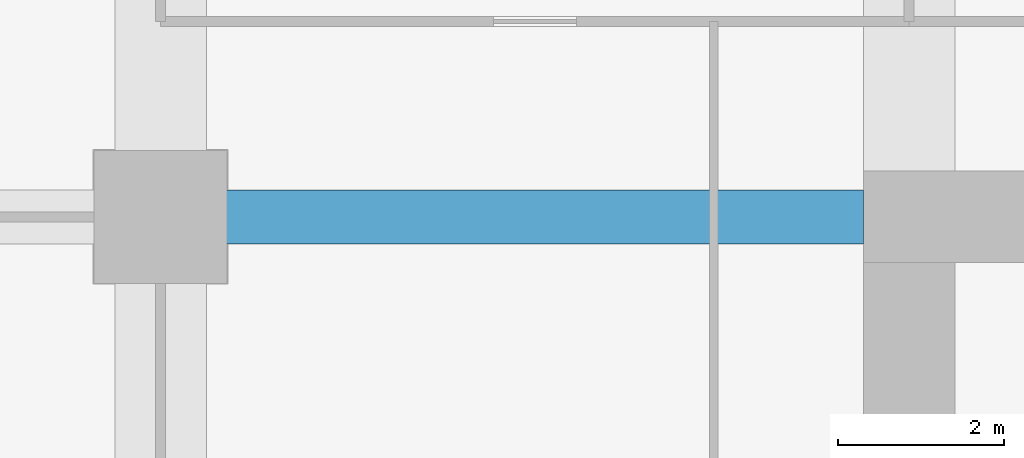
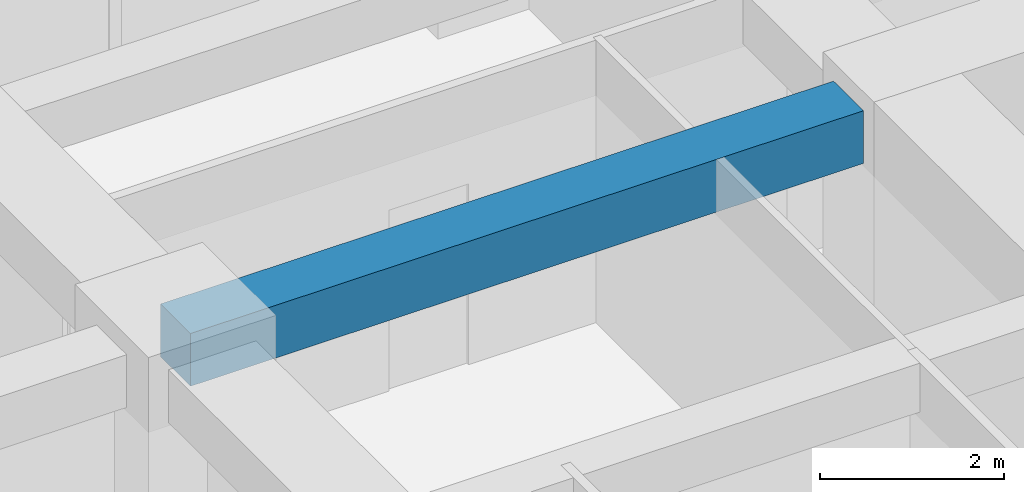
# One storey, part 21 of 32: 1 beam.
"""IFC4 building model written with IfcOpenShell, lengths in metres."""

from ifc_helpers import new_model, si_unit, direction, frame, origin, origin_2d, place, context, subcontext, project, spatial, rectangle, extrude, material, material_profile, profile_set, type_object, element, save


model = new_model("IFC4")

# Units and contexts
model_context = context("Model", 3, precision=1e-05, world=origin(), true_north=direction((0.0, 1.0)))
body_context = subcontext(model_context, "Body", "Model", "MODEL_VIEW")
ifc_project = project(units=[si_unit("LENGTHUNIT", "METRE"), si_unit("AREAUNIT", "SQUARE_METRE"), si_unit("VOLUMEUNIT", "CUBIC_METRE"), si_unit("PLANEANGLEUNIT", "RADIAN"), si_unit("MASSUNIT", "GRAM", prefix="KILO")], contexts=[model_context])

# Site, building, storey
site_placement = place(None, origin())
site = spatial("IfcSite", under=ifc_project, at=site_placement, CompositionType="ELEMENT")
building_placement = place(site_placement, origin())
building = spatial("IfcBuilding", under=site, at=building_placement, Name="Zorevar Civic Tower", CompositionType="ELEMENT")
storey_placement = place(building_placement, frame((0.0, 0.0, 186.199951171875)))
storey = spatial("IfcBuildingStorey", under=building, at=storey_placement, Name="L45", CompositionType="ELEMENT", Elevation=186.199951171875)

# Beam
ifc_material = material(Name="Concrete C50/60", Category="concrete")
ifc_material_profile = material_profile(ifc_material, rectangle(XDim=0.64990234375, YDim=0.699951171875, at=origin_2d()), Name="RC 650x700")
ifc_profile_set = profile_set([ifc_material_profile], Name="Concrete C50/60")
beam_type = type_object("IfcBeamType", Name="Beam RC 650x700", PredefinedType="BEAM", material=ifc_profile_set)
beam_placement = place(storey_placement, frame((9.0, 36.0, 3.400146484375), z_axis=(1.0, 0.0, 0.0), x_axis=(0.0, 1.0, 0.0)))
element("IfcBeam", 1, at=beam_placement, inside=storey, type_object=beam_type, Name="Girder L46", PredefinedType="BEAM", context=body_context, shape_type="SweptSolid", body=[
    extrude(rectangle(XDim=0.64990234375, YDim=0.699951171875, at=origin_2d()), origin(), (0.0, 0.0, 1.0), 8.449951171875),
])

save(model, "model.ifc")
